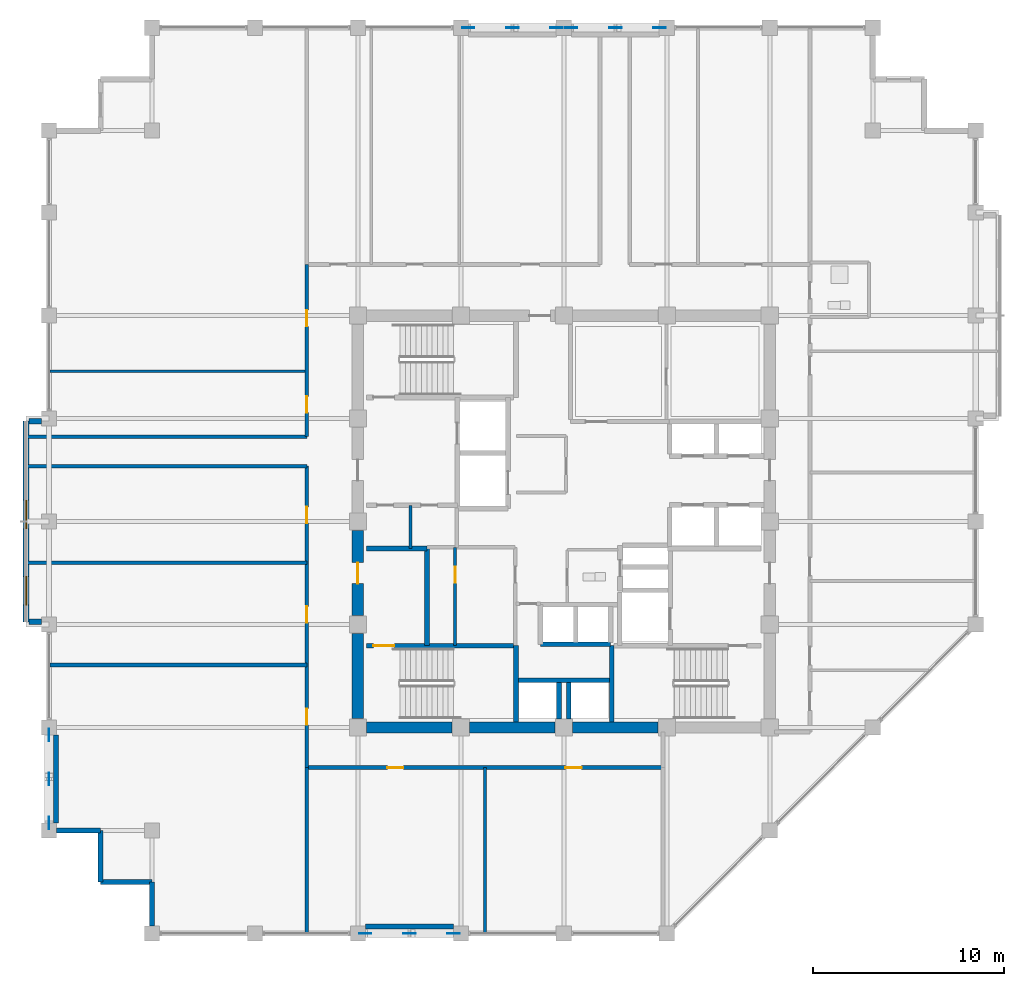
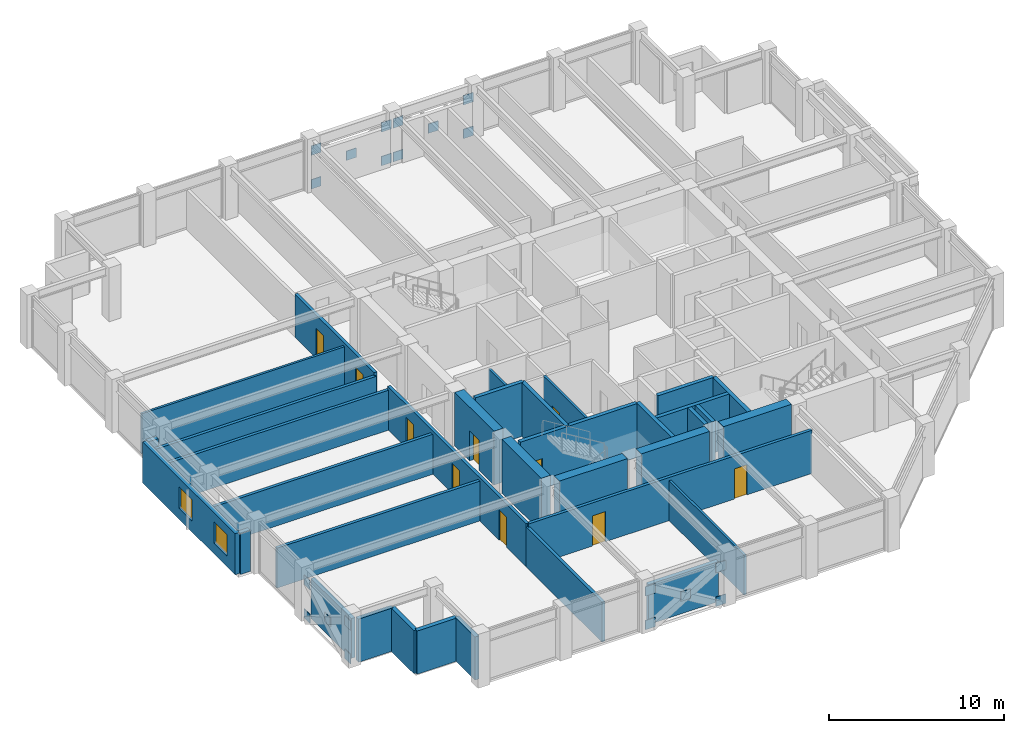
# One storey, part 24 of 30: 35 walls, 20 plates, 10 doors, 2 windows, 12 openings.
"""IFC4 building model written with IfcOpenShell, lengths in metres."""

from ifc_helpers import new_model, si_unit, direction, frame, frame_2d, origin, origin_2d, place, context, subcontext, project, spatial, rectangle, extrude, material, layer, layer_set, type_object, element, fill, save


model = new_model("IFC4")

# Units and contexts
model_context = context("Model", 3, precision=1e-05, world=origin(), true_north=direction((0.0, 1.0)))
body_context = subcontext(model_context, "Body", "Model", "MODEL_VIEW")
ifc_project = project(units=[si_unit("LENGTHUNIT", "METRE"), si_unit("AREAUNIT", "SQUARE_METRE"), si_unit("VOLUMEUNIT", "CUBIC_METRE"), si_unit("PLANEANGLEUNIT", "RADIAN"), si_unit("MASSUNIT", "GRAM", prefix="KILO")], contexts=[model_context])

# Site, building, storey
site_placement = place(None, origin())
site = spatial("IfcSite", under=ifc_project, at=site_placement, CompositionType="ELEMENT")
building_placement = place(site_placement, origin())
building = spatial("IfcBuilding", under=site, at=building_placement, Name="Surkhivell Harbour Commons", CompositionType="ELEMENT")
storey_placement = place(building_placement, frame((0.0, 0.0, 231.0)))
storey = spatial("IfcBuildingStorey", under=building, at=storey_placement, Name="L60", CompositionType="ELEMENT", Elevation=231.0)

# Plates
ifc_material_1 = material(Name="Steel S460", Category="steel")
ifc_layer_1 = layer(ifc_material_1, 0.044921875)
ifc_layer_set_1 = layer_set([ifc_layer_1], Name="Steel S460")
plate_type = type_object("IfcPlateType", Name="PLT-GUS-650", PredefinedType="USERDEFINED", material=ifc_layer_set_1)
for number, where, z_axis, x_axis, name in (
    (1, (-5.014892578125, 25.89990234375, -0.08935546875), (0.0, 0.0, 1.0), (1.0, 0.0, 0.0), "L60 Perimeter Mega-Brace MB- Corner Gusset N-1"),
    (2, (-0.385009765625, 25.89990234375, -0.08935546875), (0.0, 0.0, 1.0), (1.0, 0.0, 0.0), "L60 Perimeter Mega-Brace MB- Corner Gusset N-2"),
    (3, (-5.014892578125, 25.89990234375, 2.25146484375), (0.0, 0.0, 1.0), (1.0, 0.0, 0.0), "L60 Perimeter Mega-Brace MB- Corner Gusset N-3"),
    (4, (-0.385009765625, 25.89990234375, 2.25146484375), (0.0, 0.0, 1.0), (1.0, 0.0, 0.0), "L60 Perimeter Mega-Brace MB- Corner Gusset N-4"),
    (5, (-2.699951171875, 25.89990234375, 1.0810546875), (0.0, 0.0, 1.0), (1.0, 0.0, 0.0), "L60 Perimeter Mega-Brace MB- Central Crossing Gusset N"),
    (6, (0.385009765625, 25.89990234375, -0.08935546875), (0.0, 0.0, 1.0), (1.0, 0.0, 0.0), "L60 Perimeter Mega-Brace MB- Corner Gusset N2-1"),
    (7, (5.014892578125, 25.89990234375, -0.08935546875), (0.0, 0.0, 1.0), (1.0, 0.0, 0.0), "L60 Perimeter Mega-Brace MB- Corner Gusset N2-2"),
    (8, (0.385009765625, 25.89990234375, 2.25146484375), (0.0, 0.0, 1.0), (1.0, 0.0, 0.0), "L60 Perimeter Mega-Brace MB- Corner Gusset N2-3"),
    (9, (5.014892578125, 25.89990234375, 2.25146484375), (0.0, 0.0, 1.0), (1.0, 0.0, 0.0), "L60 Perimeter Mega-Brace MB- Corner Gusset N2-4"),
    (10, (2.699951171875, 25.89990234375, 1.0810546875), (0.0, 0.0, 1.0), (1.0, 0.0, 0.0), "L60 Perimeter Mega-Brace MB- Central Crossing Gusset N2"),
    (11, (-10.4150390625, -21.60009765625, -0.08935546875), (0.0, 0.0, 1.0), (1.0, 0.0, 0.0), "L60 Perimeter Mega-Brace MB- Corner Gusset S-1"),
    (12, (-5.784912109375, -21.60009765625, -0.08935546875), (0.0, 0.0, 1.0), (1.0, 0.0, 0.0), "L60 Perimeter Mega-Brace MB- Corner Gusset S-2"),
    (13, (-10.4150390625, -21.60009765625, 2.25146484375), (0.0, 0.0, 1.0), (1.0, 0.0, 0.0), "L60 Perimeter Mega-Brace MB- Corner Gusset S-3"),
    (14, (-5.784912109375, -21.60009765625, 2.25146484375), (0.0, 0.0, 1.0), (1.0, 0.0, 0.0), "L60 Perimeter Mega-Brace MB- Corner Gusset S-4"),
    (15, (-8.10009765625, -21.60009765625, 1.0810546875), (0.0, 0.0, 1.0), (1.0, 0.0, 0.0), "L60 Perimeter Mega-Brace MB- Central Crossing Gusset S"),
    (16, (-27.0, -15.81494140625, -0.08935546875), (0.0, 0.0, 1.0), (0.0, 1.0, 0.0), "L60 Perimeter Mega-Brace MB- Corner Gusset W-1"),
    (17, (-27.0, -11.18505859375, -0.08935546875), (0.0, 0.0, 1.0), (0.0, 1.0, 0.0), "L60 Perimeter Mega-Brace MB- Corner Gusset W-2"),
    (18, (-27.0, -15.81494140625, 2.25146484375), (0.0, 0.0, 1.0), (0.0, 1.0, 0.0), "L60 Perimeter Mega-Brace MB- Corner Gusset W-3"),
    (19, (-27.0, -11.18505859375, 2.25146484375), (0.0, 0.0, 1.0), (0.0, 1.0, 0.0), "L60 Perimeter Mega-Brace MB- Corner Gusset W-4"),
    (20, (-27.0, -13.5, 1.0810546875), (0.0, 0.0, 1.0), (0.0, 1.0, 0.0), "L60 Perimeter Mega-Brace MB- Central Crossing Gusset W"),
):
    element("IfcPlate", number, at=place(storey_placement, frame(where, z_axis=z_axis, x_axis=x_axis)), inside=storey, type_object=plate_type, Name=name, ObjectType="GUSSET_PLATE", PredefinedType="USERDEFINED", context=body_context, shape_type="SweptSolid", body=[
        extrude(rectangle(XDim=0.64990234375, YDim=0.044921875, at=origin_2d()), origin(), (0.0, 0.0, 1.0), 0.64990234375),
    ])

# Walls
ifc_material_2 = material(Name="Concrete C60/75", Category="concrete")
ifc_layer_2 = layer(ifc_material_2, 0.60009765625)
ifc_layer_set_2 = layer_set([ifc_layer_2], Name="Concrete C60/75")
wall_type_1 = type_object("IfcWallType", Name="WAL-CORE-600", PredefinedType="SHEAR", material=ifc_layer_set_2)
for number, where, z_axis, x_axis, name in (
    (21, (-10.340087890625, -10.800048828125, 0.0), (0.0, 0.0, 1.0), (1.0, 0.0, 0.0), "L60 Core Shear Wall South 1"),
    (22, (-10.800048828125, -10.340087890625, 0.0), (0.0, 0.0, 1.0), (0.0, 1.0, 0.0), "L60 Core Shear Wall West 1"),
    (23, (-4.93994140625, -10.800048828125, 0.0), (0.0, 0.0, 1.0), (1.0, 0.0, 0.0), "L60 Core Shear Wall South 2"),
):
    element("IfcWall", number, at=place(storey_placement, frame(where, z_axis=z_axis, x_axis=x_axis)), inside=storey, type_object=wall_type_1, Name=name, PredefinedType="SHEAR", context=body_context, shape_type="SweptSolid", body=[
        extrude(rectangle(XDim=4.47998046875, YDim=0.60009765625, at=frame_2d((2.239990234375, 0.0))), origin(), (0.0, 0.0, 1.0), 3.75),
    ])

# Wall, opening, door
wall_1_placement = place(storey_placement, frame((-10.800048828125, -4.93994140625, 0.0), z_axis=(0.0, 0.0, 1.0), x_axis=(0.0, 1.0, 0.0)))
wall_1 = element("IfcWall", 24, at=wall_1_placement, inside=storey, type_object=wall_type_1, Name="L60 Core Shear Wall West 2", PredefinedType="SHEAR", context=body_context, shape_type="SweptSolid", body=[
    extrude(rectangle(XDim=4.47998046875, YDim=0.60009765625, at=frame_2d((2.239990234375, 0.0))), origin(), (0.0, 0.0, 1.0), 3.75),
])
opening_1_placement = place(wall_1_placement, frame((1.68994140625, 0.0, 0.0)))
opening_1 = element("IfcOpeningElement", 25, at=opening_1_placement, cuts=wall_1, Name="Opening ID-2", PredefinedType="OPENING", context=body_context, shape_type="SweptSolid", body=[
    extrude(rectangle(XDim=1.10009765625, YDim=2.10009765625, at=frame_2d((0.550048828125, 1.050048828125))), frame((0.0, 0.31005859375, 0.0), z_axis=(0.0, -1.0, 0.0), x_axis=(1.0, 0.0, 0.0)), (0.0, 0.0, 1.0), 0.6201171875),
])
ifc_material_3 = material(Name="Hardwood-veneered fire-rated door leaf", Category="wood")
door_type_1 = type_object("IfcDoorType", Name="DOR-FD60-1100", OperationType="NOTDEFINED", PredefinedType="DOOR", material=ifc_material_3)
door_1_placement = place(opening_1_placement, origin())
door_1 = element("IfcDoor", 26, at=door_1_placement, inside=storey, type_object=door_type_1, Name="L60 Stair 3 Lobby Corridor Door", OperationType="SINGLE_SWING_LEFT", OverallHeight=2.10009765625, OverallWidth=1.10009765625, PredefinedType="DOOR", context=body_context, shape_type="SweptSolid", body=[
    extrude(rectangle(XDim=1.10009765625, YDim=2.10009765625, at=frame_2d((0.550048828125, 1.050048828125))), frame((0.0, 0.02490234375, 0.0), z_axis=(0.0, -1.0, 0.0), x_axis=(1.0, 0.0, 0.0)), (0.0, 0.0, 1.0), 0.050048828125),
])
fill(opening_1, door_1)

# Wall
wall_2_placement = place(storey_placement, frame((0.4599609375, -10.800048828125, 0.0), z_axis=(0.0, 0.0, 1.0), x_axis=(1.0, 0.0, 0.0)))
element("IfcWall", 27, at=wall_2_placement, inside=storey, type_object=wall_type_1, Name="L60 Core Shear Wall South 3", PredefinedType="SHEAR", context=body_context, shape_type="SweptSolid", body=[
    extrude(rectangle(XDim=4.47998046875, YDim=0.60009765625, at=frame_2d((2.239990234375, 0.0))), origin(), (0.0, 0.0, 1.0), 3.75),
])

# Wall, openings, windows
ifc_material_4 = material(Name="Flemish-bond kiln brick and precast concrete C45/55", Category="masonry")
ifc_layer_3 = layer(ifc_material_4, 0.300048828125)
ifc_layer_set_3 = layer_set([ifc_layer_3], Name="Flemish-bond kiln brick and precast concrete C45/55")
wall_type_2 = type_object("IfcWallType", Name="WAL-EXT-BRK300", PredefinedType="STANDARD", material=ifc_layer_set_3)
wall_3_placement = place(storey_placement, frame((-28.199951171875, 5.280029296875, 0.0), z_axis=(0.0, 0.0, 1.0), x_axis=(0.0, -1.0, 0.0)))
wall_3 = element("IfcWall", 28, at=wall_3_placement, inside=storey, type_object=wall_type_2, Name="L60 Coloured Box Front Wall 02", PredefinedType="STANDARD", context=body_context, shape_type="SweptSolid", body=[
    extrude(rectangle(XDim=10.56005859375, YDim=0.300048828125, at=frame_2d((5.280029296875, 0.0))), origin(), (0.0, 0.0, 1.0), 2.85693359375),
])
opening_2_placement = place(wall_3_placement, frame((4.159912109375, 0.0, 0.75)))
opening_2 = element("IfcOpeningElement", 29, at=opening_2_placement, cuts=wall_3, Name="Opening WN-13", PredefinedType="OPENING", context=body_context, shape_type="SweptSolid", body=[
    extrude(rectangle(XDim=1.5, YDim=1.5, at=frame_2d((0.75, 0.75))), frame((0.0, 0.159912109375, 0.0), z_axis=(0.0, -1.0, 0.0), x_axis=(1.0, 0.0, 0.0)), (0.0, 0.0, 1.0), 0.320068359375),
])
opening_3_placement = place(wall_3_placement, frame((8.159912109375, 0.0, 0.75)))
opening_3 = element("IfcOpeningElement", 30, at=opening_3_placement, cuts=wall_3, Name="Opening WN-13", PredefinedType="OPENING", context=body_context, shape_type="SweptSolid", body=[
    extrude(rectangle(XDim=1.5, YDim=1.5, at=frame_2d((0.75, 0.75))), frame((0.0, 0.159912109375, 0.0), z_axis=(0.0, -1.0, 0.0), x_axis=(1.0, 0.0, 0.0)), (0.0, 0.0, 1.0), 0.320068359375),
])
ifc_material_5 = material(Name="Thermal-break aluminium frame and double low-E glazing", Category="aluminium")
window_type = type_object("IfcWindowType", Name="WIN-BOX-1500x1500", PartitioningType="SINGLE_PANEL", PredefinedType="WINDOW", material=ifc_material_5)
window_1_placement = place(opening_2_placement, origin())
window_1 = element("IfcWindow", 31, at=window_1_placement, inside=storey, type_object=window_type, Name="L60 Coloured Box Square Window 02-1", OverallHeight=1.5, OverallWidth=1.5, PartitioningType="SINGLE_PANEL", PredefinedType="WINDOW", context=body_context, shape_type="SweptSolid", body=[
    extrude(rectangle(XDim=1.5, YDim=1.5, at=frame_2d((0.75, 0.75))), frame((0.0, 0.030029296875, 0.0), z_axis=(0.0, -1.0, 0.0), x_axis=(1.0, 0.0, 0.0)), (0.0, 0.0, 1.0), 0.06005859375),
])
fill(opening_2, window_1)
window_2_placement = place(opening_3_placement, origin())
window_2 = element("IfcWindow", 32, at=window_2_placement, inside=storey, type_object=window_type, Name="L60 Coloured Box Square Window 02-2", OverallHeight=1.5, OverallWidth=1.5, PartitioningType="SINGLE_PANEL", PredefinedType="WINDOW", context=body_context, shape_type="SweptSolid", body=[
    extrude(rectangle(XDim=1.5, YDim=1.5, at=frame_2d((0.75, 0.75))), frame((0.0, 0.030029296875, 0.0), z_axis=(0.0, -1.0, 0.0), x_axis=(1.0, 0.0, 0.0)), (0.0, 0.0, 1.0), 0.06005859375),
])
fill(opening_3, window_2)

# Walls
for number, where, z_axis, x_axis, name in (
    (33, (-28.06005859375, -5.260009765625, 0.0), (0.0, 0.0, 1.0), (1.0, 0.0, 0.0), "L60 Coloured Box Return Wall 02S"),
    (34, (-28.06005859375, 5.260009765625, 0.0), (0.0, 0.0, 1.0), (1.0, 0.0, 0.0), "L60 Coloured Box Return Wall 02N"),
):
    element("IfcWall", number, at=place(storey_placement, frame(where, z_axis=z_axis, x_axis=x_axis)), inside=storey, type_object=wall_type_2, Name=name, PredefinedType="STANDARD", context=body_context, shape_type="SweptSolid", body=[
        extrude(rectangle(XDim=0.656005859375, YDim=0.300048828125, at=frame_2d((0.328125, 0.0))), origin(), (0.0, 0.0, 1.0), 2.85693359375),
    ])
ifc_material_6 = material(Name="Pale-metal insulated precast concrete C45/55", Category="concrete")
ifc_layer_4 = layer(ifc_material_6, 0.260009765625)
ifc_layer_set_4 = layer_set([ifc_layer_4], Name="Pale-metal insulated precast concrete C45/55")
wall_type_3 = type_object("IfcWallType", Name="WAL-EXT-MTL260", PredefinedType="STANDARD", material=ifc_layer_set_4)
for number, where, z_axis, x_axis, name in (
    (35, (-10.402099609375, -21.239990234375, 0.0), (0.0, 0.0, 1.0), (1.0, 0.0, 0.0), "L60 Braced-Bay Insulated Spandrel Backing S"),
    (36, (-26.639892578125, -15.802001953125, 0.0), (0.0, 0.0, 1.0), (0.0, 1.0, 0.0), "L60 Braced-Bay Insulated Spandrel Backing W"),
):
    element("IfcWall", number, at=place(storey_placement, frame(where, z_axis=z_axis, x_axis=x_axis)), inside=storey, type_object=wall_type_3, Name=name, PredefinedType="STANDARD", context=body_context, shape_type="SweptSolid", body=[
        extrude(rectangle(XDim=4.60400390625, YDim=0.260009765625, at=frame_2d((2.302001953125, 0.0))), origin(), (0.0, 0.0, 1.0), 2.780029296875),
    ])
ifc_material_7 = material(Name="Terracotta-clad reinforced concrete C45/55", Category="masonry")
ifc_layer_5 = layer(ifc_material_7, 0.280029296875)
ifc_layer_set_5 = layer_set([ifc_layer_5], Name="Terracotta-clad reinforced concrete C45/55")
wall_type_4 = type_object("IfcWallType", Name="WAL-EXT-TER280", PredefinedType="STANDARD", material=ifc_layer_set_5)
wall_4_placement = place(storey_placement, frame((-26.60205078125, -16.199951171875, 0.0), z_axis=(0.0, 0.0, 1.0), x_axis=(1.0, 0.0, 0.0)))
element("IfcWall", 37, at=wall_4_placement, inside=storey, type_object=wall_type_4, Name="L60 Serrated Corner Facade Wall 13", PredefinedType="STANDARD", context=body_context, shape_type="SweptSolid", body=[
    extrude(rectangle(XDim=2.302001953125, YDim=0.280029296875, at=frame_2d((1.15087890625, 0.0))), origin(), (0.0, 0.0, 1.0), 3.006103515625),
])
for number, where, z_axis, x_axis, name in (
    (38, (-24.300048828125, -16.199951171875, 0.0), (0.0, 0.0, 1.0), (0.0, -1.0, 0.0), "L60 Serrated Corner Facade Wall 14"),
    (39, (-24.300048828125, -18.89990234375, 0.0), (0.0, 0.0, 1.0), (1.0, 0.0, 0.0), "L60 Serrated Corner Facade Wall 15"),
):
    element("IfcWall", number, at=place(storey_placement, frame(where, z_axis=z_axis, x_axis=x_axis)), inside=storey, type_object=wall_type_4, Name=name, PredefinedType="STANDARD", context=body_context, shape_type="SweptSolid", body=[
        extrude(rectangle(XDim=2.699951171875, YDim=0.280029296875, at=frame_2d((1.35009765625, 0.0))), origin(), (0.0, 0.0, 1.0), 3.006103515625),
    ])
wall_5_placement = place(storey_placement, frame((-21.60009765625, -18.89990234375, 0.0), z_axis=(0.0, 0.0, 1.0), x_axis=(0.0, -1.0, 0.0)))
element("IfcWall", 40, at=wall_5_placement, inside=storey, type_object=wall_type_4, Name="L60 Serrated Corner Facade Wall 16", PredefinedType="STANDARD", context=body_context, shape_type="SweptSolid", body=[
    extrude(rectangle(XDim=2.302001953125, YDim=0.280029296875, at=frame_2d((1.15087890625, 0.0))), origin(), (0.0, 0.0, 1.0), 3.006103515625),
])

# Wall, opening, door
ifc_material_8 = material(Name="Twin-stud acoustic fireboard partition", Category="other")
ifc_layer_6 = layer(ifc_material_8, 0.14990234375)
ifc_layer_set_6 = layer_set([ifc_layer_6], Name="Twin-stud acoustic fireboard partition")
wall_type_5 = type_object("IfcWallType", Name="WAL-INT-150", PredefinedType="PARTITIONING", material=ifc_layer_set_6)
wall_6_placement = place(storey_placement, frame((-5.699951171875, -6.510009765625, 0.0), z_axis=(0.0, 0.0, 1.0), x_axis=(0.0, 1.0, 0.0)))
wall_6 = element("IfcWall", 41, at=wall_6_placement, inside=storey, type_object=wall_type_5, Name="L60 Core Cut B Partition", PredefinedType="PARTITIONING", context=body_context, shape_type="SweptSolid", body=[
    extrude(rectangle(XDim=5.159912109375, YDim=0.14990234375, at=frame_2d((2.580078125, 0.0))), origin(), (0.0, 0.0, 1.0), 3.570068359375),
])
opening_4_placement = place(wall_6_placement, frame((3.300048828125, 0.0, 0.0)))
opening_4 = element("IfcOpeningElement", 42, at=opening_4_placement, cuts=wall_6, Name="Opening ID-6", PredefinedType="OPENING", context=body_context, shape_type="SweptSolid", body=[
    extrude(rectangle(XDim=0.85009765625, YDim=2.10009765625, at=frame_2d((0.425048828125, 1.050048828125))), frame((0.0, 0.0849609375, 0.0), z_axis=(0.0, -1.0, 0.0), x_axis=(1.0, 0.0, 0.0)), (0.0, 0.0, 1.0), 0.169921875),
])
door_type_2 = type_object("IfcDoorType", Name="DOR-FD30-850", OperationType="NOTDEFINED", PredefinedType="DOOR", material=ifc_material_3)
door_2_placement = place(opening_4_placement, origin())
door_2 = element("IfcDoor", 43, at=door_2_placement, inside=storey, type_object=door_type_2, Name="L60 Core Focus Study Door", OperationType="SINGLE_SWING_RIGHT", OverallHeight=2.10009765625, OverallWidth=0.85009765625, PredefinedType="DOOR", context=body_context, shape_type="SweptSolid", body=[
    extrude(rectangle(XDim=0.85009765625, YDim=2.10009765625, at=frame_2d((0.425048828125, 1.050048828125))), frame((0.0, 0.02490234375, 0.0), z_axis=(0.0, -1.0, 0.0), x_axis=(1.0, 0.0, 0.0)), (0.0, 0.0, 1.0), 0.050048828125),
])
fill(opening_4, door_2)

# Walls
wall_7_placement = place(storey_placement, frame((-8.050048828125, -1.419921875, 0.0), z_axis=(0.0, 0.0, 1.0), x_axis=(0.0, 1.0, 0.0)))
element("IfcWall", 44, at=wall_7_placement, inside=storey, type_object=wall_type_5, Name="L60 West Seminar Booth Divider", PredefinedType="PARTITIONING", context=body_context, shape_type="SweptSolid", body=[
    extrude(rectangle(XDim=2.27001953125, YDim=0.14990234375, at=frame_2d((1.135009765625, 0.0))), origin(), (0.0, 0.0, 1.0), 3.570068359375),
])
wall_8_placement = place(storey_placement, frame((-4.139892578125, -21.5400390625, 0.0), z_axis=(0.0, 0.0, 1.0), x_axis=(0.0, 1.0, 0.0)))
element("IfcWall", 45, at=wall_8_placement, inside=storey, type_object=wall_type_5, Name="L60 South Partition P1", PredefinedType="PARTITIONING", context=body_context, shape_type="SweptSolid", body=[
    extrude(rectangle(XDim=8.64013671875, YDim=0.14990234375, at=frame_2d((4.320068359375, 0.0))), origin(), (0.0, 0.0, 1.0), 2.780029296875),
])
wall_9_placement = place(storey_placement, frame((-26.93994140625, 7.8798828125, 0.0), z_axis=(0.0, 0.0, 1.0), x_axis=(1.0, 0.0, 0.0)))
element("IfcWall", 46, at=wall_9_placement, inside=storey, type_object=wall_type_5, Name="L60 North-West Partition P1", PredefinedType="PARTITIONING", context=body_context, shape_type="SweptSolid", body=[
    extrude(rectangle(XDim=13.4599609375, YDim=0.14990234375, at=frame_2d((6.72998046875, 0.0))), origin(), (0.0, 0.0, 1.0), 2.780029296875),
])
ifc_material_9 = material(Name="Autoclaved aerated concrete blockwork and fire plaster", Category="masonry")
ifc_layer_7 = layer(ifc_material_9, 0.199951171875)
ifc_layer_set_7 = layer_set([ifc_layer_7], Name="Autoclaved aerated concrete blockwork and fire plaster")
wall_type_6 = type_object("IfcWallType", Name="WAL-INT-200", PredefinedType="PARTITIONING", material=ifc_layer_set_7)
wall_10_placement = place(storey_placement, frame((-13.47998046875, -21.5400390625, 0.0), z_axis=(0.0, 0.0, 1.0), x_axis=(0.0, 1.0, 0.0)))
element("IfcWall", 47, at=wall_10_placement, inside=storey, type_object=wall_type_6, Name="L60 South-West Corner Wall", PredefinedType="PARTITIONING", context=body_context, shape_type="SweptSolid", body=[
    extrude(rectangle(XDim=8.64013671875, YDim=0.199951171875, at=frame_2d((4.320068359375, 0.0))), origin(), (0.0, 0.0, 1.0), 2.780029296875),
])

# Wall, openings, doors
wall_11_placement = place(storey_placement, frame((-13.47998046875, -12.89990234375, 0.0), z_axis=(0.0, 0.0, 1.0), x_axis=(1.0, 0.0, 0.0)))
wall_11 = element("IfcWall", 48, at=wall_11_placement, inside=storey, type_object=wall_type_6, Name="L60 Corridor South Wall", PredefinedType="PARTITIONING", context=body_context, shape_type="SweptSolid", body=[
    extrude(rectangle(XDim=18.679931640625, YDim=0.199951171875, at=frame_2d((9.33984375, 0.0))), origin(), (0.0, 0.0, 1.0), 3.006103515625),
])
opening_5_placement = place(wall_11_placement, frame((4.219970703125, 0.0, 0.0)))
opening_5 = element("IfcOpeningElement", 49, at=opening_5_placement, cuts=wall_11, Name="Opening ID-6", PredefinedType="OPENING", context=body_context, shape_type="SweptSolid", body=[
    extrude(rectangle(XDim=0.85009765625, YDim=2.10009765625, at=frame_2d((0.425048828125, 1.050048828125))), frame((0.0, 0.10986328125, 0.0), z_axis=(0.0, -1.0, 0.0), x_axis=(1.0, 0.0, 0.0)), (0.0, 0.0, 1.0), 0.219970703125),
])
opening_6_placement = place(wall_11_placement, frame((13.56005859375, 0.0, 0.0)))
opening_6 = element("IfcOpeningElement", 50, at=opening_6_placement, cuts=wall_11, Name="Opening ID-6", PredefinedType="OPENING", context=body_context, shape_type="SweptSolid", body=[
    extrude(rectangle(XDim=0.85009765625, YDim=2.10009765625, at=frame_2d((0.425048828125, 1.050048828125))), frame((0.0, 0.10986328125, 0.0), z_axis=(0.0, -1.0, 0.0), x_axis=(1.0, 0.0, 0.0)), (0.0, 0.0, 1.0), 0.219970703125),
])
door_3_placement = place(opening_5_placement, origin())
door_3 = element("IfcDoor", 51, at=door_3_placement, inside=storey, type_object=door_type_2, Name="L60 Campus Co-Op Bookshop South Door", OperationType="SINGLE_SWING_LEFT", OverallHeight=2.10009765625, OverallWidth=0.85009765625, PredefinedType="DOOR", context=body_context, shape_type="SweptSolid", body=[
    extrude(rectangle(XDim=0.85009765625, YDim=2.10009765625, at=frame_2d((0.425048828125, 1.050048828125))), frame((0.0, 0.02490234375, 0.0), z_axis=(0.0, -1.0, 0.0), x_axis=(1.0, 0.0, 0.0)), (0.0, 0.0, 1.0), 0.050048828125),
])
fill(opening_5, door_3)
door_4_placement = place(opening_6_placement, origin())
door_4 = element("IfcDoor", 52, at=door_4_placement, inside=storey, type_object=door_type_2, Name="L60 Harbour Espresso Cafe Shop South Door", OperationType="SINGLE_SWING_RIGHT", OverallHeight=2.10009765625, OverallWidth=0.85009765625, PredefinedType="DOOR", context=body_context, shape_type="SweptSolid", body=[
    extrude(rectangle(XDim=0.85009765625, YDim=2.10009765625, at=frame_2d((0.425048828125, 1.050048828125))), frame((0.0, 0.02490234375, 0.0), z_axis=(0.0, -1.0, 0.0), x_axis=(1.0, 0.0, 0.0)), (0.0, 0.0, 1.0), 0.050048828125),
])
fill(opening_6, door_4)

# Walls
for number, where, z_axis, x_axis, name in (
    (53, (-28.139892578125, 4.449951171875, 0.0), (0.0, 0.0, 1.0), (1.0, 0.0, 0.0), "L60 West Spur North Wall"),
    (54, (-28.139892578125, 2.89990234375, 0.0), (0.0, 0.0, 1.0), (1.0, 0.0, 0.0), "L60 West Spur South Wall"),
):
    element("IfcWall", number, at=place(storey_placement, frame(where, z_axis=z_axis, x_axis=x_axis)), inside=storey, type_object=wall_type_6, Name=name, PredefinedType="PARTITIONING", context=body_context, shape_type="SweptSolid", body=[
        extrude(rectangle(XDim=14.659912109375, YDim=0.199951171875, at=frame_2d((7.330078125, 0.0))), origin(), (0.0, 0.0, 1.0), 2.780029296875),
    ])

# Wall, openings, doors
wall_12_placement = place(storey_placement, frame((-13.47998046875, 4.449951171875, 0.0), z_axis=(0.0, 0.0, 1.0), x_axis=(0.0, 1.0, 0.0)))
wall_12 = element("IfcWall", 55, at=wall_12_placement, inside=storey, type_object=wall_type_6, Name="L60 Corridor West-Upper Wall", PredefinedType="PARTITIONING", context=body_context, shape_type="SweptSolid", body=[
    extrude(rectangle(XDim=9.030029296875, YDim=0.199951171875, at=frame_2d((4.51513671875, 0.0))), origin(), (0.0, 0.0, 1.0), 3.006103515625),
])
opening_7_placement = place(wall_12_placement, frame((1.264892578125, 0.0, 0.0)))
opening_7 = element("IfcOpeningElement", 56, at=opening_7_placement, cuts=wall_12, Name="Opening ID-6", PredefinedType="OPENING", context=body_context, shape_type="SweptSolid", body=[
    extrude(rectangle(XDim=0.85009765625, YDim=2.10009765625, at=frame_2d((0.425048828125, 1.050048828125))), frame((0.0, 0.10986328125, 0.0), z_axis=(0.0, -1.0, 0.0), x_axis=(1.0, 0.0, 0.0)), (0.0, 0.0, 1.0), 0.219970703125),
])
opening_8_placement = place(wall_12_placement, frame((5.780029296875, 0.0, 0.0)))
opening_8 = element("IfcOpeningElement", 57, at=opening_8_placement, cuts=wall_12, Name="Opening ID-6", PredefinedType="OPENING", context=body_context, shape_type="SweptSolid", body=[
    extrude(rectangle(XDim=0.85009765625, YDim=2.10009765625, at=frame_2d((0.425048828125, 1.050048828125))), frame((0.0, 0.10986328125, 0.0), z_axis=(0.0, -1.0, 0.0), x_axis=(1.0, 0.0, 0.0)), (0.0, 0.0, 1.0), 0.219970703125),
])
door_5_placement = place(opening_7_placement, origin())
door_5 = element("IfcDoor", 58, at=door_5_placement, inside=storey, type_object=door_type_2, Name="L60 Harbour Reading Library North-West Door", OperationType="SINGLE_SWING_LEFT", OverallHeight=2.10009765625, OverallWidth=0.85009765625, PredefinedType="DOOR", context=body_context, shape_type="SweptSolid", body=[
    extrude(rectangle(XDim=0.85009765625, YDim=2.10009765625, at=frame_2d((0.425048828125, 1.050048828125))), frame((0.0, 0.02490234375, 0.0), z_axis=(0.0, -1.0, 0.0), x_axis=(1.0, 0.0, 0.0)), (0.0, 0.0, 1.0), 0.050048828125),
])
fill(opening_7, door_5)
door_6_placement = place(opening_8_placement, origin())
door_6 = element("IfcDoor", 59, at=door_6_placement, inside=storey, type_object=door_type_2, Name="L60 Communal Dining Hall North-West Door", OperationType="SINGLE_SWING_RIGHT", OverallHeight=2.10009765625, OverallWidth=0.85009765625, PredefinedType="DOOR", context=body_context, shape_type="SweptSolid", body=[
    extrude(rectangle(XDim=0.85009765625, YDim=2.10009765625, at=frame_2d((0.425048828125, 1.050048828125))), frame((0.0, 0.02490234375, 0.0), z_axis=(0.0, -1.0, 0.0), x_axis=(1.0, 0.0, 0.0)), (0.0, 0.0, 1.0), 0.050048828125),
])
fill(opening_8, door_6)

wall_13_placement = place(storey_placement, frame((-13.47998046875, -12.89990234375, 0.0), z_axis=(0.0, 0.0, 1.0), x_axis=(0.0, 1.0, 0.0)))
wall_13 = element("IfcWall", 60, at=wall_13_placement, inside=storey, type_object=wall_type_6, Name="L60 Corridor West-Lower Wall", PredefinedType="PARTITIONING", context=body_context, shape_type="SweptSolid", body=[
    extrude(rectangle(XDim=15.7998046875, YDim=0.199951171875, at=frame_2d((7.89990234375, 0.0))), origin(), (0.0, 0.0, 1.0), 3.006103515625),
])
opening_9_placement = place(wall_13_placement, frame((2.235107421875, 0.0, 0.0)))
opening_9 = element("IfcOpeningElement", 61, at=opening_9_placement, cuts=wall_13, Name="Opening ID-6", PredefinedType="OPENING", context=body_context, shape_type="SweptSolid", body=[
    extrude(rectangle(XDim=0.85009765625, YDim=2.10009765625, at=frame_2d((0.425048828125, 1.050048828125))), frame((0.0, 0.10986328125, 0.0), z_axis=(0.0, -1.0, 0.0), x_axis=(1.0, 0.0, 0.0)), (0.0, 0.0, 1.0), 0.219970703125),
])
opening_10_placement = place(wall_13_placement, frame((7.60498046875, 0.0, 0.0)))
opening_10 = element("IfcOpeningElement", 62, at=opening_10_placement, cuts=wall_13, Name="Opening ID-6", PredefinedType="OPENING", context=body_context, shape_type="SweptSolid", body=[
    extrude(rectangle(XDim=0.85009765625, YDim=2.10009765625, at=frame_2d((0.425048828125, 1.050048828125))), frame((0.0, 0.10986328125, 0.0), z_axis=(0.0, -1.0, 0.0), x_axis=(1.0, 0.0, 0.0)), (0.0, 0.0, 1.0), 0.219970703125),
])
opening_11_placement = place(wall_13_placement, frame((12.820068359375, 0.0, 0.0)))
opening_11 = element("IfcOpeningElement", 63, at=opening_11_placement, cuts=wall_13, Name="Opening ID-6", PredefinedType="OPENING", context=body_context, shape_type="SweptSolid", body=[
    extrude(rectangle(XDim=0.85009765625, YDim=2.10009765625, at=frame_2d((0.425048828125, 1.050048828125))), frame((0.0, 0.10986328125, 0.0), z_axis=(0.0, -1.0, 0.0), x_axis=(1.0, 0.0, 0.0)), (0.0, 0.0, 1.0), 0.219970703125),
])
door_7_placement = place(opening_9_placement, origin())
door_7 = element("IfcDoor", 64, at=door_7_placement, inside=storey, type_object=door_type_2, Name="L60 Academic Seminar Room 1 South-West Door", OperationType="SINGLE_SWING_LEFT", OverallHeight=2.10009765625, OverallWidth=0.85009765625, PredefinedType="DOOR", context=body_context, shape_type="SweptSolid", body=[
    extrude(rectangle(XDim=0.85009765625, YDim=2.10009765625, at=frame_2d((0.425048828125, 1.050048828125))), frame((0.0, 0.02490234375, 0.0), z_axis=(0.0, -1.0, 0.0), x_axis=(1.0, 0.0, 0.0)), (0.0, 0.0, 1.0), 0.050048828125),
])
fill(opening_9, door_7)
door_8_placement = place(opening_10_placement, origin())
door_8 = element("IfcDoor", 65, at=door_8_placement, inside=storey, type_object=door_type_2, Name="L60 Academic Seminar Room 2 South-West Door", OperationType="SINGLE_SWING_RIGHT", OverallHeight=2.10009765625, OverallWidth=0.85009765625, PredefinedType="DOOR", context=body_context, shape_type="SweptSolid", body=[
    extrude(rectangle(XDim=0.85009765625, YDim=2.10009765625, at=frame_2d((0.425048828125, 1.050048828125))), frame((0.0, 0.02490234375, 0.0), z_axis=(0.0, -1.0, 0.0), x_axis=(1.0, 0.0, 0.0)), (0.0, 0.0, 1.0), 0.050048828125),
])
fill(opening_10, door_8)
door_9_placement = place(opening_11_placement, origin())
door_9 = element("IfcDoor", 66, at=door_9_placement, inside=storey, type_object=door_type_2, Name="L60 Academic Seminar Room 3 South-West Door", OperationType="SINGLE_SWING_LEFT", OverallHeight=2.10009765625, OverallWidth=0.85009765625, PredefinedType="DOOR", context=body_context, shape_type="SweptSolid", body=[
    extrude(rectangle(XDim=0.85009765625, YDim=2.10009765625, at=frame_2d((0.425048828125, 1.050048828125))), frame((0.0, 0.02490234375, 0.0), z_axis=(0.0, -1.0, 0.0), x_axis=(1.0, 0.0, 0.0)), (0.0, 0.0, 1.0), 0.050048828125),
])
fill(opening_11, door_9)

# Walls
wall_14_placement = place(storey_placement, frame((-26.93994140625, -7.530029296875, 0.0), z_axis=(0.0, 0.0, 1.0), x_axis=(1.0, 0.0, 0.0)))
element("IfcWall", 67, at=wall_14_placement, inside=storey, type_object=wall_type_6, Name="L60 South-West Partition P1", PredefinedType="PARTITIONING", context=body_context, shape_type="SweptSolid", body=[
    extrude(rectangle(XDim=13.4599609375, YDim=0.199951171875, at=frame_2d((6.72998046875, 0.0))), origin(), (0.0, 0.0, 1.0), 2.780029296875),
])
wall_15_placement = place(storey_placement, frame((-28.139892578125, -2.159912109375, 0.0), z_axis=(0.0, 0.0, 1.0), x_axis=(1.0, 0.0, 0.0)))
element("IfcWall", 68, at=wall_15_placement, inside=storey, type_object=wall_type_6, Name="L60 South-West Partition P2", PredefinedType="PARTITIONING", context=body_context, shape_type="SweptSolid", body=[
    extrude(rectangle(XDim=14.659912109375, YDim=0.199951171875, at=frame_2d((7.330078125, 0.0))), origin(), (0.0, 0.0, 1.0), 2.780029296875),
])
ifc_material_10 = material(Name="Concrete C50/60", Category="concrete")
ifc_layer_8 = layer(ifc_material_10, 0.25)
ifc_layer_set_8 = layer_set([ifc_layer_8], Name="Concrete C50/60")
wall_type_7 = type_object("IfcWallType", Name="WAL-SHAFT-250", PredefinedType="SHEAR", material=ifc_layer_set_8)
for number, where, z_axis, x_axis, name in (
    (69, (-0.25, -10.35009765625, 0.0), (0.0, 0.0, 1.0), (0.0, 1.0, 0.0), "L60 High-Rise Side Wall S"),
    (70, (0.25, -10.35009765625, 0.0), (0.0, 0.0, 1.0), (0.0, 1.0, 0.0), "L60 High-Rise Side Wall S"),
):
    element("IfcWall", number, at=place(storey_placement, frame(where, z_axis=z_axis, x_axis=x_axis)), inside=storey, type_object=wall_type_7, Name=name, PredefinedType="SHEAR", context=body_context, shape_type="SweptSolid", body=[
        extrude(rectangle(XDim=1.91015625, YDim=0.25, at=frame_2d((0.955078125, 0.0))), origin(), (0.0, 0.0, 1.0), 3.75),
    ])
wall_16_placement = place(storey_placement, frame((-1.219970703125, -6.43994140625, 0.0), z_axis=(0.0, 0.0, 1.0), x_axis=(1.0, 0.0, 0.0)))
element("IfcWall", 71, at=wall_16_placement, inside=storey, type_object=wall_type_7, Name="L60 High-Rise North Front Shaft Wall", PredefinedType="SHEAR", context=body_context, shape_type="SweptSolid", body=[
    extrude(rectangle(XDim=3.669921875, YDim=0.25, at=frame_2d((1.8349609375, 0.0))), origin(), (0.0, 0.0, 1.0), 3.75),
])
wall_17_placement = place(storey_placement, frame((-2.47998046875, -8.320068359375, 0.0), z_axis=(0.0, 0.0, 1.0), x_axis=(1.0, 0.0, 0.0)))
element("IfcWall", 72, at=wall_17_placement, inside=storey, type_object=wall_type_7, Name="L60 High-Rise South Front Shaft Wall", PredefinedType="SHEAR", context=body_context, shape_type="SweptSolid", body=[
    extrude(rectangle(XDim=4.929931640625, YDim=0.25, at=frame_2d((2.46484375, 0.0))), origin(), (0.0, 0.0, 1.0), 3.75),
])
for number, where, z_axis, x_axis, name in (
    (73, (2.510009765625, -10.5, 0.0), (0.0, 0.0, 1.0), (0.0, 1.0, 0.0), "L60 Stair ST2 West Shear Wall"),
    (74, (-2.510009765625, -10.5, 0.0), (0.0, 0.0, 1.0), (0.0, 1.0, 0.0), "L60 Stair ST3 East Shear Wall"),
):
    element("IfcWall", number, at=place(storey_placement, frame(where, z_axis=z_axis, x_axis=x_axis)), inside=storey, type_object=wall_type_7, Name=name, PredefinedType="SHEAR", context=body_context, shape_type="SweptSolid", body=[
        extrude(rectangle(XDim=3.989990234375, YDim=0.25, at=frame_2d((1.9951171875, 0.0))), origin(), (0.0, 0.0, 1.0), 3.75),
    ])
wall_18_placement = place(storey_placement, frame((-7.179931640625, -6.510009765625, 0.0), z_axis=(0.0, 0.0, 1.0), x_axis=(0.0, 1.0, 0.0)))
element("IfcWall", 75, at=wall_18_placement, inside=storey, type_object=wall_type_7, Name="L60 Stair 3 Lobby East Wall", PredefinedType="SHEAR", context=body_context, shape_type="SweptSolid", body=[
    extrude(rectangle(XDim=5.090087890625, YDim=0.25, at=frame_2d((2.544921875, 0.0))), origin(), (0.0, 0.0, 1.0), 3.75),
])
wall_19_placement = place(storey_placement, frame((-10.340087890625, -1.419921875, 0.0), z_axis=(0.0, 0.0, 1.0), x_axis=(1.0, 0.0, 0.0)))
element("IfcWall", 76, at=wall_19_placement, inside=storey, type_object=wall_type_7, Name="L60 Stair 3 Lobby North Wall", PredefinedType="SHEAR", context=body_context, shape_type="SweptSolid", body=[
    extrude(rectangle(XDim=3.16015625, YDim=0.25, at=frame_2d((1.580078125, 0.0))), origin(), (0.0, 0.0, 1.0), 3.75),
])

# Wall, opening, door
wall_20_placement = place(storey_placement, frame((-10.340087890625, -6.510009765625, 0.0), z_axis=(0.0, 0.0, 1.0), x_axis=(1.0, 0.0, 0.0)))
wall_20 = element("IfcWall", 77, at=wall_20_placement, inside=storey, type_object=wall_type_7, Name="L60 Stair ST3 North Shear Wall", PredefinedType="SHEAR", context=body_context, shape_type="SweptSolid", body=[
    extrude(rectangle(XDim=7.7001953125, YDim=0.25, at=frame_2d((3.85009765625, 0.0))), origin(), (0.0, 0.0, 1.0), 3.75),
])
opening_12_placement = place(wall_20_placement, frame((0.35009765625, 0.0, 0.0)))
opening_12 = element("IfcOpeningElement", 78, at=opening_12_placement, cuts=wall_20, Name="Opening ID-2", PredefinedType="OPENING", context=body_context, shape_type="SweptSolid", body=[
    extrude(rectangle(XDim=1.10009765625, YDim=2.10009765625, at=frame_2d((0.550048828125, 1.050048828125))), frame((0.0, 0.135009765625, 0.0), z_axis=(0.0, -1.0, 0.0), x_axis=(1.0, 0.0, 0.0)), (0.0, 0.0, 1.0), 0.27001953125),
])
door_10_placement = place(opening_12_placement, origin())
door_10 = element("IfcDoor", 79, at=door_10_placement, inside=storey, type_object=door_type_1, Name="L60 Stair ST3 Exit Door", OperationType="SINGLE_SWING_RIGHT", OverallHeight=2.10009765625, OverallWidth=1.10009765625, PredefinedType="DOOR", context=body_context, shape_type="SweptSolid", body=[
    extrude(rectangle(XDim=1.10009765625, YDim=2.10009765625, at=frame_2d((0.550048828125, 1.050048828125))), frame((0.0, 0.02490234375, 0.0), z_axis=(0.0, -1.0, 0.0), x_axis=(1.0, 0.0, 0.0)), (0.0, 0.0, 1.0), 0.050048828125),
])
fill(opening_12, door_10)

save(model, "model.ifc")
